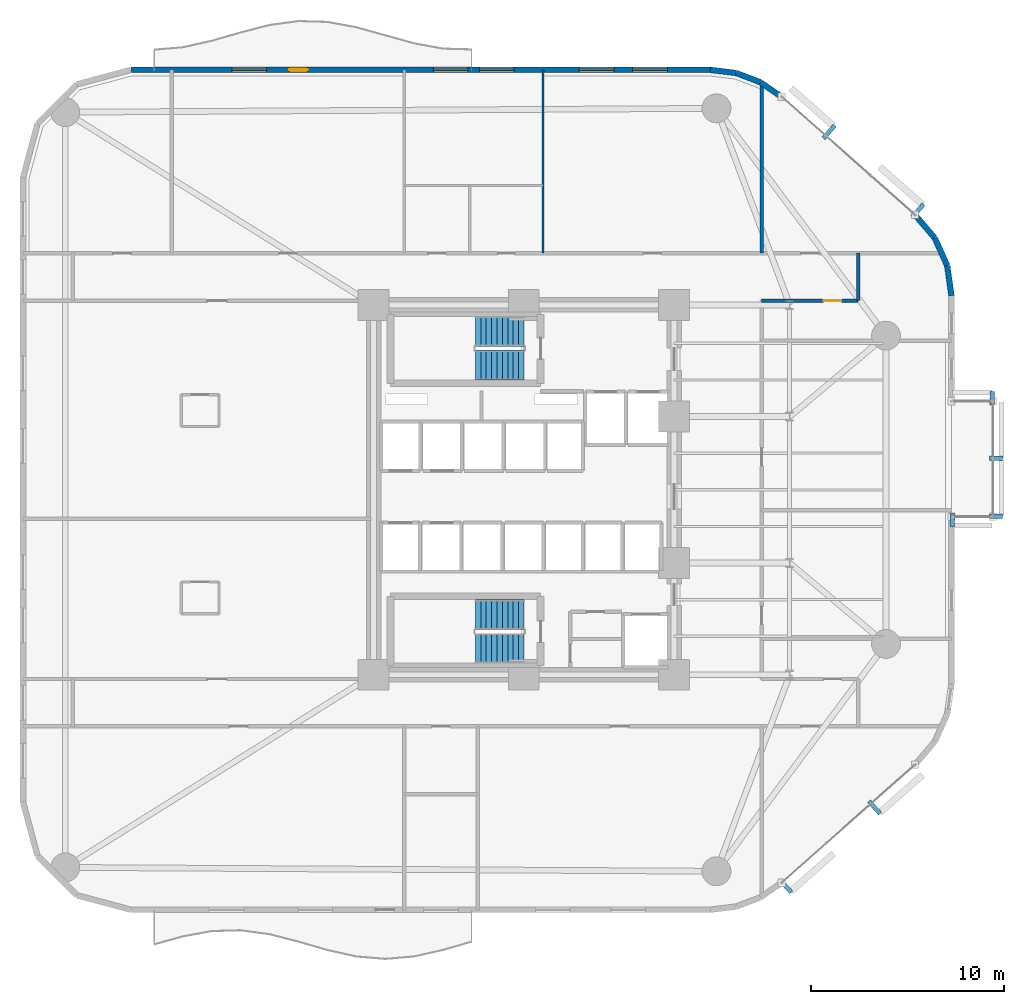
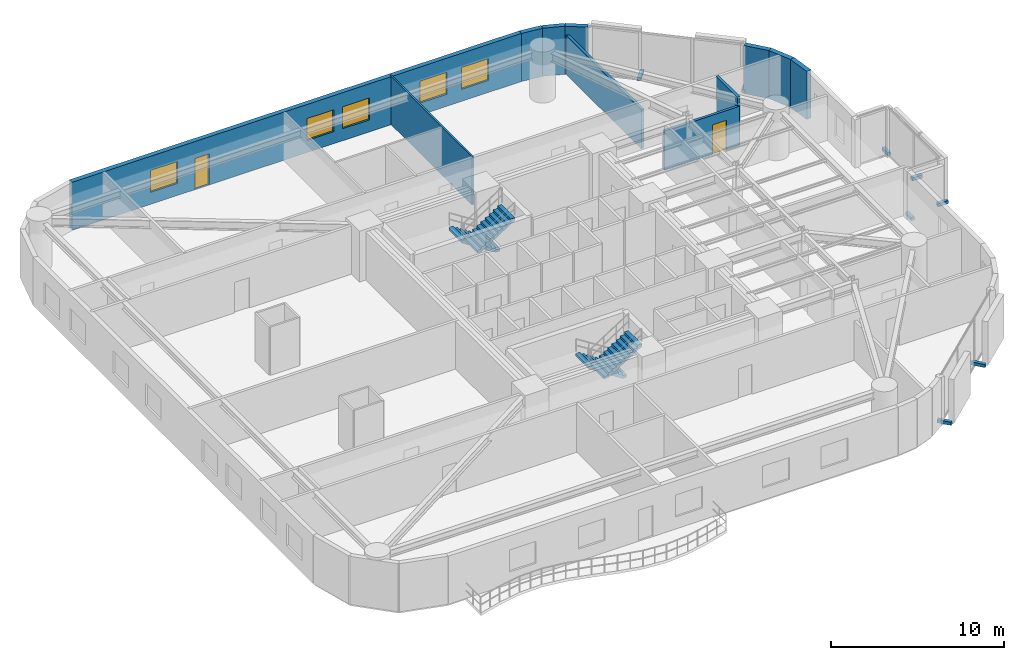
# One storey, part 13 of 16: 11 walls, 8 discrete accessories, 5 windows, 4 stair flights, 2 doors, 7 openings, 2 elements without a shape of their own.
"""IFC4 building model written with IfcOpenShell, lengths in metres."""

from ifc_helpers import new_model, si_unit, direction, frame, frame_2d, origin, origin_2d, place, context, subcontext, project, spatial, polyline, rectangle, outline, extrude, material, layer, layer_set, type_object, element, fill, aggregate, save


model = new_model("IFC4")

# Units and contexts
model_context = context("Model", 3, precision=1e-05, world=origin(), true_north=direction((0.0, 1.0)))
body_context = subcontext(model_context, "Body", "Model", "MODEL_VIEW")
ifc_project = project(units=[si_unit("LENGTHUNIT", "METRE"), si_unit("AREAUNIT", "SQUARE_METRE"), si_unit("VOLUMEUNIT", "CUBIC_METRE"), si_unit("PLANEANGLEUNIT", "RADIAN"), si_unit("MASSUNIT", "GRAM", prefix="KILO")], contexts=[model_context])

# Site, building, storey
site_placement = place(None, origin())
site = spatial("IfcSite", under=ifc_project, at=site_placement, CompositionType="ELEMENT")
building_placement = place(site_placement, origin())
building = spatial("IfcBuilding", under=site, at=building_placement, Name="An Khanh Terracotta Commons", CompositionType="ELEMENT")
storey_placement = place(building_placement, frame((0.0, 0.0, 46.800048828125)))
storey = spatial("IfcBuildingStorey", under=building, at=storey_placement, Name="L12", CompositionType="ELEMENT", Elevation=46.800048828125)

# Wall, opening, door
ifc_material_1 = material(Name="Fire-Rated Gypsum Board on Steel Stud", Category="steel")
ifc_layer_1 = layer(ifc_material_1, 0.179931640625, Name="Fire-Rated Gypsum Board on Steel Stud")
ifc_layer_set_1 = layer_set([ifc_layer_1], Name="Fire-Rated Gypsum Board on Steel Stud")
wall_type_1 = type_object("IfcWallType", Name="WALL-CORR-180", PredefinedType="PARTITIONING", material=ifc_layer_set_1)
wall_1_placement = place(storey_placement, frame((41.75, 33.820068359375, 0.0), z_axis=(0.0, 0.0, 1.0), x_axis=(1.0, 0.0, 0.0)))
wall_1 = element("IfcWall", 1, at=wall_1_placement, inside=storey, type_object=wall_type_1, Name="L12 Interior Partition IW-L12-E010", PredefinedType="PARTITIONING", context=body_context, shape_type="SweptSolid", body=[
    extrude(rectangle(XDim=5.0, YDim=0.179931640625, at=frame_2d((2.5, 0.0))), origin(), (0.0, 0.0, 1.0), 2.781982421875),
])
opening_1_placement = place(wall_1_placement, frame((3.208984375, 0.0, 0.0)))
opening_1 = element("IfcOpeningElement", 2, at=opening_1_placement, cuts=wall_1, Name="Opening D-RM", PredefinedType="OPENING", context=body_context, shape_type="SweptSolid", body=[
    extrude(rectangle(XDim=0.919921875, YDim=2.10009765625, at=frame_2d((0.4599609375, 1.050048828125))), frame((0.0, 0.099853515625, 0.0), z_axis=(0.0, -1.0, 0.0), x_axis=(1.0, 0.0, 0.0)), (0.0, 0.0, 1.0), 0.199951171875),
])
ifc_material_2 = material(Name="Engineered Hardwood Timber Leaf", Category="wood")
door_type_1 = type_object("IfcDoorType", Name="DOOR-INT-920", OperationType="NOTDEFINED", PredefinedType="DOOR", material=ifc_material_2)
door_1_placement = place(opening_1_placement, origin())
door_1 = element("IfcDoor", 3, at=door_1_placement, inside=storey, type_object=door_type_1, Name="L12 FAN4 Co-Living Private Bedroom Door", OperationType="SINGLE_SWING_LEFT", OverallHeight=2.10009765625, OverallWidth=0.919921875, PredefinedType="DOOR", context=body_context, shape_type="SweptSolid", body=[
    extrude(rectangle(XDim=0.919921875, YDim=2.10009765625, at=frame_2d((0.4599609375, 1.050048828125))), frame((0.0, 0.02490234375, 0.0), z_axis=(0.0, -1.0, 0.0), x_axis=(1.0, 0.0, 0.0)), (0.0, 0.0, 1.0), 0.050048828125),
])
fill(opening_1, door_1)

# Walls
wall_2_placement = place(storey_placement, frame((41.75, 36.280029296875, 0.0), z_axis=(0.0, 0.0, 1.0), x_axis=(0.0, 1.0, 0.0)))
element("IfcWall", 4, at=wall_2_placement, inside=storey, type_object=wall_type_1, Name="L12 Interior Partition IW-L12-E023", PredefinedType="PARTITIONING", context=body_context, shape_type="SweptSolid", body=[
    extrude(rectangle(XDim=8.8310546875, YDim=0.179931640625, at=frame_2d((4.41552734375, 0.0))), origin(), (0.0, 0.0, 1.0), 2.781982421875),
])
wall_3_placement = place(storey_placement, frame((46.75, 33.820068359375, 0.0), z_axis=(0.0, 0.0, 1.0), x_axis=(0.0, 1.0, 0.0)))
element("IfcWall", 5, at=wall_3_placement, inside=storey, type_object=wall_type_1, Name="L12 Interior Partition IW-L12-E025", PredefinedType="PARTITIONING", context=body_context, shape_type="SweptSolid", body=[
    extrude(rectangle(XDim=2.4599609375, YDim=0.179931640625, at=frame_2d((1.22998046875, 0.0))), origin(), (0.0, 0.0, 1.0), 3.39990234375),
])
ifc_material_3 = material(Name="Precast concrete C40/50", Category="concrete")
ifc_layer_2 = layer(ifc_material_3, 0.300048828125, Name="Precast concrete C40/50")
ifc_layer_set_2 = layer_set([ifc_layer_2], Name="Precast concrete C40/50")
wall_type_2 = type_object("IfcWallType", Name="WALL-EXT-300", PredefinedType="SOLIDWALL", material=ifc_layer_set_2)
wall_4_placement = place(storey_placement, frame((51.60009765625, 34.076904296875, 0.0), z_axis=(0.0, 0.0, 1.0), x_axis=(-0.140380048512, 0.990097693149, 0.0)))
element("IfcWall", 6, at=wall_4_placement, inside=storey, type_object=wall_type_2, Name="L12 Insulated Terracotta Exterior Wall 13", PredefinedType="SOLIDWALL", context=body_context, shape_type="SweptSolid", body=[
    extrude(rectangle(XDim=1.57568359375, YDim=0.300048828125, at=frame_2d((0.787841796875, 0.0))), origin(), (0.0, 0.0, 1.0), 3.39990234375),
])
wall_5_placement = place(storey_placement, frame((51.37890625, 35.636962890625, 0.0), z_axis=(0.0, 0.0, 1.0), x_axis=(-0.410996558744, 0.911636895206, 0.0)))
element("IfcWall", 7, at=wall_5_placement, inside=storey, type_object=wall_type_2, Name="L12 Insulated Terracotta Exterior Wall 14", PredefinedType="SOLIDWALL", context=body_context, shape_type="SweptSolid", body=[
    extrude(rectangle(XDim=1.57421875, YDim=0.300048828125, at=frame_2d((0.787109375, 0.0))), origin(), (0.0, 0.0, 1.0), 3.39990234375),
])
wall_6_placement = place(storey_placement, frame((50.73193359375, 37.072021484375, 0.0), z_axis=(0.0, 0.0, 1.0), x_axis=(-0.648389989909, 0.7613083613, 0.0)))
element("IfcWall", 8, at=wall_6_placement, inside=storey, type_object=wall_type_2, Name="L12 Insulated Terracotta Exterior Wall 15", PredefinedType="SOLIDWALL", context=body_context, shape_type="SweptSolid", body=[
    extrude(rectangle(XDim=1.576171875, YDim=0.300048828125, at=frame_2d((0.7880859375, 0.0))), origin(), (0.0, 0.0, 1.0), 3.39990234375),
])
wall_7_placement = place(storey_placement, frame((42.7890625, 44.39404296875, 0.0), z_axis=(0.0, 0.0, 1.0), x_axis=(-0.823116500192, 0.567872544777, 0.0)))
element("IfcWall", 9, at=wall_7_placement, inside=storey, type_object=wall_type_2, Name="L12 Insulated Terracotta Exterior Wall 17", PredefinedType="SOLIDWALL", context=body_context, shape_type="SweptSolid", body=[
    extrude(rectangle(XDim=1.3486328125, YDim=0.300048828125, at=frame_2d((0.67431640625, 0.0))), origin(), (0.0, 0.0, 1.0), 3.39990234375),
])
wall_8_placement = place(storey_placement, frame((41.678955078125, 45.159912109375, 0.0), z_axis=(0.0, 0.0, 1.0), x_axis=(-0.935156721165, 0.354234254216, 0.0)))
element("IfcWall", 10, at=wall_8_placement, inside=storey, type_object=wall_type_2, Name="L12 Insulated Terracotta Exterior Wall 18", PredefinedType="SOLIDWALL", context=body_context, shape_type="SweptSolid", body=[
    extrude(rectangle(XDim=1.349365234375, YDim=0.300048828125, at=frame_2d((0.6748046875, 0.0))), origin(), (0.0, 0.0, 1.0), 3.39990234375),
])
wall_9_placement = place(storey_placement, frame((40.4169921875, 45.637939453125, 0.0), z_axis=(0.0, 0.0, 1.0), x_axis=(-0.992739027259, 0.120288086515, 0.0)))
element("IfcWall", 11, at=wall_9_placement, inside=storey, type_object=wall_type_2, Name="L12 Insulated Terracotta Exterior Wall 19", PredefinedType="SOLIDWALL", context=body_context, shape_type="SweptSolid", body=[
    extrude(rectangle(XDim=1.34765625, YDim=0.300048828125, at=frame_2d((0.673828125, 0.0))), origin(), (0.0, 0.0, 1.0), 3.39990234375),
])

# Wall, openings, door, windows
wall_10_placement = place(storey_placement, frame((39.0791015625, 45.800048828125, 0.0), z_axis=(0.0, 0.0, 1.0), x_axis=(-1.0, 0.0, 0.0)))
wall_10 = element("IfcWall", 12, at=wall_10_placement, inside=storey, type_object=wall_type_2, Name="L12 Insulated Terracotta Exterior Wall 20", PredefinedType="SOLIDWALL", context=body_context, shape_type="SweptSolid", body=[
    extrude(rectangle(XDim=30.0791015625, YDim=0.300048828125, at=frame_2d((15.03955078125, 0.0))), origin(), (0.0, 0.0, 1.0), 3.39990234375),
])
opening_2_placement = place(wall_10_placement, frame((20.904052734375, 0.0, 0.0)))
opening_2 = element("IfcOpeningElement", 13, at=opening_2_placement, cuts=wall_10, Name="Opening D-BAL", PredefinedType="OPENING", context=body_context, shape_type="SweptSolid", body=[
    extrude(rectangle(XDim=0.949951171875, YDim=2.199951171875, at=frame_2d((0.47509765625, 1.10009765625))), frame((0.0, 0.159912109375, 0.0), z_axis=(0.0, -1.0, 0.0), x_axis=(1.0, 0.0, 0.0)), (0.0, 0.0, 1.0), 0.320068359375),
])
opening_3_placement = place(wall_10_placement, frame((2.22607421875, 0.0, 0.85009765625)))
opening_3 = element("IfcOpeningElement", 14, at=opening_3_placement, cuts=wall_10, Name="Opening W-01", PredefinedType="OPENING", context=body_context, shape_type="SweptSolid", body=[
    extrude(rectangle(XDim=1.800048828125, YDim=1.550048828125, at=frame_2d((0.89990234375, 0.77490234375))), frame((0.0, 0.159912109375, 0.0), z_axis=(0.0, -1.0, 0.0), x_axis=(1.0, 0.0, 0.0)), (0.0, 0.0, 1.0), 0.320068359375),
])
opening_4_placement = place(wall_10_placement, frame((5.0029296875, 0.0, 0.85009765625)))
opening_4 = element("IfcOpeningElement", 15, at=opening_4_placement, cuts=wall_10, Name="Opening W-01", PredefinedType="OPENING", context=body_context, shape_type="SweptSolid", body=[
    extrude(rectangle(XDim=1.800048828125, YDim=1.550048828125, at=frame_2d((0.89990234375, 0.77490234375))), frame((0.0, 0.159912109375, 0.0), z_axis=(0.0, -1.0, 0.0), x_axis=(1.0, 0.0, 0.0)), (0.0, 0.0, 1.0), 0.320068359375),
])
opening_5_placement = place(wall_10_placement, frame((10.178955078125, 0.0, 0.85009765625)))
opening_5 = element("IfcOpeningElement", 16, at=opening_5_placement, cuts=wall_10, Name="Opening W-01", PredefinedType="OPENING", context=body_context, shape_type="SweptSolid", body=[
    extrude(rectangle(XDim=1.800048828125, YDim=1.550048828125, at=frame_2d((0.89990234375, 0.77490234375))), frame((0.0, 0.159912109375, 0.0), z_axis=(0.0, -1.0, 0.0), x_axis=(1.0, 0.0, 0.0)), (0.0, 0.0, 1.0), 0.320068359375),
])
opening_6_placement = place(wall_10_placement, frame((12.5791015625, 0.0, 0.85009765625)))
opening_6 = element("IfcOpeningElement", 17, at=opening_6_placement, cuts=wall_10, Name="Opening W-01", PredefinedType="OPENING", context=body_context, shape_type="SweptSolid", body=[
    extrude(rectangle(XDim=1.800048828125, YDim=1.550048828125, at=frame_2d((0.89990234375, 0.77490234375))), frame((0.0, 0.159912109375, 0.0), z_axis=(0.0, -1.0, 0.0), x_axis=(1.0, 0.0, 0.0)), (0.0, 0.0, 1.0), 0.320068359375),
])
opening_7_placement = place(wall_10_placement, frame((23.033935546875, 0.0, 0.85009765625)))
opening_7 = element("IfcOpeningElement", 18, at=opening_7_placement, cuts=wall_10, Name="Opening W-01", PredefinedType="OPENING", context=body_context, shape_type="SweptSolid", body=[
    extrude(rectangle(XDim=1.800048828125, YDim=1.550048828125, at=frame_2d((0.89990234375, 0.77490234375))), frame((0.0, 0.159912109375, 0.0), z_axis=(0.0, -1.0, 0.0), x_axis=(1.0, 0.0, 0.0)), (0.0, 0.0, 1.0), 0.320068359375),
])
ifc_material_4 = material(Name="Thermally Broken Aluminium and Low-E Glass", Category="aluminium")
door_type_2 = type_object("IfcDoorType", Name="DOOR-BALC-950", OperationType="NOTDEFINED", PredefinedType="DOOR", material=ifc_material_4)
door_2_placement = place(opening_2_placement, origin())
door_2 = element("IfcDoor", 19, at=door_2_placement, inside=storey, type_object=door_type_2, Name="L12 N Wave Balcony Glazed Door", OperationType="SINGLE_SWING_RIGHT", OverallHeight=2.199951171875, OverallWidth=0.949951171875, PredefinedType="DOOR", context=body_context, shape_type="SweptSolid", body=[
    extrude(rectangle(XDim=0.949951171875, YDim=2.199951171875, at=frame_2d((0.47509765625, 1.10009765625))), frame((0.0, 0.02490234375, 0.0), z_axis=(0.0, -1.0, 0.0), x_axis=(1.0, 0.0, 0.0)), (0.0, 0.0, 1.0), 0.050048828125),
])
fill(opening_2, door_2)
window_type = type_object("IfcWindowType", Name="WIN-Z1-1800x1550", PartitioningType="DOUBLE_PANEL_VERTICAL", PredefinedType="WINDOW", material=ifc_material_4)
window_1_placement = place(opening_3_placement, origin())
window_1 = element("IfcWindow", 20, at=window_1_placement, inside=storey, type_object=window_type, Name="L12 Operable Casement Window 20.1", OverallHeight=1.550048828125, OverallWidth=1.800048828125, PartitioningType="DOUBLE_PANEL_VERTICAL", PredefinedType="WINDOW", context=body_context, shape_type="SweptSolid", body=[
    extrude(rectangle(XDim=1.800048828125, YDim=1.550048828125, at=frame_2d((0.89990234375, 0.77490234375))), frame((0.0, 0.030029296875, 0.0), z_axis=(0.0, -1.0, 0.0), x_axis=(1.0, 0.0, 0.0)), (0.0, 0.0, 1.0), 0.06005859375),
])
fill(opening_3, window_1)
window_2_placement = place(opening_4_placement, origin())
window_2 = element("IfcWindow", 21, at=window_2_placement, inside=storey, type_object=window_type, Name="L12 Operable Casement Window 20.2", OverallHeight=1.550048828125, OverallWidth=1.800048828125, PartitioningType="DOUBLE_PANEL_VERTICAL", PredefinedType="WINDOW", context=body_context, shape_type="SweptSolid", body=[
    extrude(rectangle(XDim=1.800048828125, YDim=1.550048828125, at=frame_2d((0.89990234375, 0.77490234375))), frame((0.0, 0.030029296875, 0.0), z_axis=(0.0, -1.0, 0.0), x_axis=(1.0, 0.0, 0.0)), (0.0, 0.0, 1.0), 0.06005859375),
])
fill(opening_4, window_2)
window_3_placement = place(opening_5_placement, origin())
window_3 = element("IfcWindow", 22, at=window_3_placement, inside=storey, type_object=window_type, Name="L12 Operable Casement Window 20.3", OverallHeight=1.550048828125, OverallWidth=1.800048828125, PartitioningType="DOUBLE_PANEL_VERTICAL", PredefinedType="WINDOW", context=body_context, shape_type="SweptSolid", body=[
    extrude(rectangle(XDim=1.800048828125, YDim=1.550048828125, at=frame_2d((0.89990234375, 0.77490234375))), frame((0.0, 0.030029296875, 0.0), z_axis=(0.0, -1.0, 0.0), x_axis=(1.0, 0.0, 0.0)), (0.0, 0.0, 1.0), 0.06005859375),
])
fill(opening_5, window_3)
window_4_placement = place(opening_6_placement, origin())
window_4 = element("IfcWindow", 23, at=window_4_placement, inside=storey, type_object=window_type, Name="L12 Operable Casement Window 20.4", OverallHeight=1.550048828125, OverallWidth=1.800048828125, PartitioningType="DOUBLE_PANEL_VERTICAL", PredefinedType="WINDOW", context=body_context, shape_type="SweptSolid", body=[
    extrude(rectangle(XDim=1.800048828125, YDim=1.550048828125, at=frame_2d((0.89990234375, 0.77490234375))), frame((0.0, 0.030029296875, 0.0), z_axis=(0.0, -1.0, 0.0), x_axis=(1.0, 0.0, 0.0)), (0.0, 0.0, 1.0), 0.06005859375),
])
fill(opening_6, window_4)
window_5_placement = place(opening_7_placement, origin())
window_5 = element("IfcWindow", 24, at=window_5_placement, inside=storey, type_object=window_type, Name="L12 Operable Casement Window 20.5", OverallHeight=1.550048828125, OverallWidth=1.800048828125, PartitioningType="DOUBLE_PANEL_VERTICAL", PredefinedType="WINDOW", context=body_context, shape_type="SweptSolid", body=[
    extrude(rectangle(XDim=1.800048828125, YDim=1.550048828125, at=frame_2d((0.89990234375, 0.77490234375))), frame((0.0, 0.030029296875, 0.0), z_axis=(0.0, -1.0, 0.0), x_axis=(1.0, 0.0, 0.0)), (0.0, 0.0, 1.0), 0.06005859375),
])
fill(opening_7, window_5)

# Wall
ifc_material_5 = material(Name="Moisture-Resistant Cement Board Partition")
ifc_layer_3 = layer(ifc_material_5, 0.1201171875, Name="Moisture-Resistant Cement Board Partition")
ifc_layer_set_3 = layer_set([ifc_layer_3], Name="Moisture-Resistant Cement Board Partition")
wall_type_3 = type_object("IfcWallType", Name="WALL-WET-120", PredefinedType="PARTITIONING", material=ifc_layer_set_3)
wall_11_placement = place(storey_placement, frame((30.39990234375, 36.280029296875, 0.0), z_axis=(0.0, 0.0, 1.0), x_axis=(0.0, 1.0, 0.0)))
element("IfcWall", 25, at=wall_11_placement, inside=storey, type_object=wall_type_3, Name="L12 Interior Partition IW-L12-E020", PredefinedType="PARTITIONING", context=body_context, shape_type="SweptSolid", body=[
    extrude(rectangle(XDim=9.52001953125, YDim=0.1201171875, at=frame_2d((4.760009765625, 0.0))), origin(), (0.0, 0.0, 1.0), 3.39990234375),
])

# Stair, stair flights
stair_type = type_object("IfcStairType", Name="STAIR-CORE-1550", PredefinedType="HALF_TURN_STAIR", material=ifc_material_3)
stair_1_placement = place(storey_placement, origin())
stair_1 = element("IfcStair", 26, at=stair_1_placement, inside=storey, type_object=stair_type, Name="L12 Core Smokeproof Exit Stair ST-01", PredefinedType="HALF_TURN_STAIR")
stair_flight_type = type_object("IfcStairFlightType", Name="FLIGHT-CORE-1550", PredefinedType="STRAIGHT", material=ifc_material_3)
stair_flight_1_placement = place(storey_placement, frame((29.409912109375, 32.22509765625, 0.0), z_axis=(0.0, 0.0, 1.0), x_axis=(-1.0, 0.0, 0.0)))
stair_flight_1 = element("IfcStairFlight", 27, at=stair_flight_1_placement, type_object=stair_flight_type, Name="ST-01 flight 1", NumberOfRisers=10, NumberOfTreads=9, PredefinedType="STRAIGHT", RiserHeight=0.18, TreadLength=0.28, context=body_context, shape_type="SweptSolid", body=[
    extrude(outline(polyline([(0.0, 0.0), (0.0, 0.179931640625), (0.280029296875, 0.179931640625), (0.280029296875, 0.360107421875), (0.56005859375, 0.360107421875), (0.56005859375, 0.5400390625), (0.840087890625, 0.5400390625), (0.840087890625, 0.719970703125), (1.1201171875, 0.719970703125), (1.1201171875, 0.89990234375), (1.39990234375, 0.89990234375), (1.39990234375, 1.080078125), (1.679931640625, 1.080078125), (1.679931640625, 1.260009765625), (1.9599609375, 1.260009765625), (1.9599609375, 1.43994140625), (2.239990234375, 1.43994140625), (2.239990234375, 1.6201171875), (2.52001953125, 1.6201171875), (2.52001953125, 1.800048828125), (2.52001953125, 1.44189453125), (0.277099609375, 0.0), (0.0, 0.0)])), frame((0.0, 0.77490234375, 0.0), z_axis=(0.0, -1.0, 0.0), x_axis=(1.0, 0.0, 0.0)), (0.0, 0.0, 1.0), 1.550048828125),
])
stair_flight_2_placement = place(storey_placement, frame((26.889892578125, 30.47509765625, 1.800048828125), z_axis=(0.0, 0.0, 1.0), x_axis=(1.0, 0.0, 0.0)))
stair_flight_2 = element("IfcStairFlight", 28, at=stair_flight_2_placement, type_object=stair_flight_type, Name="ST-01 flight 2", NumberOfRisers=10, NumberOfTreads=9, PredefinedType="STRAIGHT", RiserHeight=0.18, TreadLength=0.28, context=body_context, shape_type="SweptSolid", body=[
    extrude(outline(polyline([(0.0, 0.0), (0.0, 0.179931640625), (0.280029296875, 0.179931640625), (0.280029296875, 0.360107421875), (0.56005859375, 0.360107421875), (0.56005859375, 0.5400390625), (0.840087890625, 0.5400390625), (0.840087890625, 0.719970703125), (1.1201171875, 0.719970703125), (1.1201171875, 0.89990234375), (1.39990234375, 0.89990234375), (1.39990234375, 1.080078125), (1.679931640625, 1.080078125), (1.679931640625, 1.260009765625), (1.9599609375, 1.260009765625), (1.9599609375, 1.43994140625), (2.239990234375, 1.43994140625), (2.239990234375, 1.6201171875), (2.52001953125, 1.6201171875), (2.52001953125, 1.800048828125), (2.52001953125, 1.44189453125), (0.277099609375, 0.0), (0.0, 0.0)])), frame((0.0, 0.77490234375, 0.0), z_axis=(0.0, -1.0, 0.0), x_axis=(1.0, 0.0, 0.0)), (0.0, 0.0, 1.0), 1.550048828125),
])
aggregate(stair_1, [stair_flight_1, stair_flight_2])

stair_2_placement = place(storey_placement, origin())
stair_2 = element("IfcStair", 29, at=stair_2_placement, inside=storey, type_object=stair_type, Name="L12 Core Smokeproof Exit Stair ST-02", PredefinedType="HALF_TURN_STAIR")
stair_flight_3_placement = place(storey_placement, frame((29.409912109375, 17.52490234375, 0.0), z_axis=(0.0, 0.0, 1.0), x_axis=(-1.0, 0.0, 0.0)))
stair_flight_3 = element("IfcStairFlight", 30, at=stair_flight_3_placement, type_object=stair_flight_type, Name="ST-02 flight 1", NumberOfRisers=10, NumberOfTreads=9, PredefinedType="STRAIGHT", RiserHeight=0.18, TreadLength=0.28, context=body_context, shape_type="SweptSolid", body=[
    extrude(outline(polyline([(0.0, 0.0), (0.0, 0.179931640625), (0.280029296875, 0.179931640625), (0.280029296875, 0.360107421875), (0.56005859375, 0.360107421875), (0.56005859375, 0.5400390625), (0.840087890625, 0.5400390625), (0.840087890625, 0.719970703125), (1.1201171875, 0.719970703125), (1.1201171875, 0.89990234375), (1.39990234375, 0.89990234375), (1.39990234375, 1.080078125), (1.679931640625, 1.080078125), (1.679931640625, 1.260009765625), (1.9599609375, 1.260009765625), (1.9599609375, 1.43994140625), (2.239990234375, 1.43994140625), (2.239990234375, 1.6201171875), (2.52001953125, 1.6201171875), (2.52001953125, 1.800048828125), (2.52001953125, 1.44189453125), (0.277099609375, 0.0), (0.0, 0.0)])), frame((0.0, 0.77490234375, 0.0), z_axis=(0.0, -1.0, 0.0), x_axis=(1.0, 0.0, 0.0)), (0.0, 0.0, 1.0), 1.550048828125),
])
stair_flight_4_placement = place(storey_placement, frame((26.889892578125, 15.77490234375, 1.800048828125), z_axis=(0.0, 0.0, 1.0), x_axis=(1.0, 0.0, 0.0)))
stair_flight_4 = element("IfcStairFlight", 31, at=stair_flight_4_placement, type_object=stair_flight_type, Name="ST-02 flight 2", NumberOfRisers=10, NumberOfTreads=9, PredefinedType="STRAIGHT", RiserHeight=0.18, TreadLength=0.28, context=body_context, shape_type="SweptSolid", body=[
    extrude(outline(polyline([(0.0, 0.0), (0.0, 0.179931640625), (0.280029296875, 0.179931640625), (0.280029296875, 0.360107421875), (0.56005859375, 0.360107421875), (0.56005859375, 0.5400390625), (0.840087890625, 0.5400390625), (0.840087890625, 0.719970703125), (1.1201171875, 0.719970703125), (1.1201171875, 0.89990234375), (1.39990234375, 0.89990234375), (1.39990234375, 1.080078125), (1.679931640625, 1.080078125), (1.679931640625, 1.260009765625), (1.9599609375, 1.260009765625), (1.9599609375, 1.43994140625), (2.239990234375, 1.43994140625), (2.239990234375, 1.6201171875), (2.52001953125, 1.6201171875), (2.52001953125, 1.800048828125), (2.52001953125, 1.44189453125), (0.277099609375, 0.0), (0.0, 0.0)])), frame((0.0, 0.77490234375, 0.0), z_axis=(0.0, -1.0, 0.0), x_axis=(1.0, 0.0, 0.0)), (0.0, 0.0, 1.0), 1.550048828125),
])
aggregate(stair_2, [stair_flight_3, stair_flight_4])

# Discrete accessories
ifc_material_6 = material(Name="Stainless Steel Grade 316L", Category="steel")
discrete_accessory_type = type_object("IfcDiscreteAccessoryType", Name="Stainless Outrigger Facade Bracket", PredefinedType="BRACKET", material=ifc_material_6)
for number, where, z_axis, x_axis, name in (
    (32, (42.990966796875, 3.430908203125, 0.06982421875), (0.0, 0.0, 1.0), (0.749019284633, 0.662548195415, 0.0), "L12 Terracotta Screen Outrigger Bracket 1"),
    (33, (47.60498046875, 7.511962890625, 0.06982421875), (0.0, 0.0, 1.0), (0.749019284633, 0.662548195415, 0.0), "L12 Terracotta Screen Outrigger Bracket 3"),
):
    element("IfcDiscreteAccessory", number, at=place(storey_placement, frame(where, z_axis=z_axis, x_axis=x_axis)), inside=storey, type_object=discrete_accessory_type, Name=name, PredefinedType="BRACKET", context=body_context, shape_type="SweptSolid", body=[
        extrude(rectangle(XDim=0.219970703125, YDim=0.8701171875, at=origin_2d()), origin(), (0.0, 0.0, 1.0), 0.219970703125),
    ])
for number, where, z_axis, x_axis, name in (
    (34, (53.9150390625, 22.633056640625, 0.06982421875), (0.0, 0.0, 1.0), (0.0, 1.0, 0.0), "L12 Terracotta Screen Outrigger Bracket 1"),
    (35, (53.9150390625, 25.633056640625, 0.06982421875), (0.0, 0.0, 1.0), (0.0, 1.0, 0.0), "L12 Terracotta Screen Outrigger Bracket 2"),
    (36, (51.633056640625, 22.43505859375, 0.06982421875), (0.0, 0.0, 1.0), (1.0, 0.0, 0.0), "L12 Terracotta Screen Outrigger Bracket 1"),
    (37, (53.718017578125, 28.764892578125, 0.06982421875), (0.0, 0.0, 1.0), (-1.0, 0.0, 0.0), "L12 Terracotta Screen Outrigger Bracket 1"),
):
    element("IfcDiscreteAccessory", number, at=place(storey_placement, frame(where, z_axis=z_axis, x_axis=x_axis)), inside=storey, type_object=discrete_accessory_type, Name=name, PredefinedType="BRACKET", context=body_context, shape_type="SweptSolid", body=[
        extrude(rectangle(XDim=0.219970703125, YDim=0.669921875, at=origin_2d()), origin(), (0.0, 0.0, 1.0), 0.219970703125),
    ])
for number, where, z_axis, x_axis, name in (
    (38, (49.85888671875, 38.493896484375, 0.06982421875), (0.0, 0.0, 1.0), (-0.749019284633, 0.662548195415, 0.0), "L12 Terracotta Screen Outrigger Bracket 1"),
    (39, (45.2451171875, 42.574951171875, 0.06982421875), (0.0, 0.0, 1.0), (-0.749019284633, 0.662548195415, 0.0), "L12 Terracotta Screen Outrigger Bracket 3"),
):
    element("IfcDiscreteAccessory", number, at=place(storey_placement, frame(where, z_axis=z_axis, x_axis=x_axis)), inside=storey, type_object=discrete_accessory_type, Name=name, PredefinedType="BRACKET", context=body_context, shape_type="SweptSolid", body=[
        extrude(rectangle(XDim=0.219970703125, YDim=0.8701171875, at=origin_2d()), origin(), (0.0, 0.0, 1.0), 0.219970703125),
    ])

save(model, "model.ifc")
